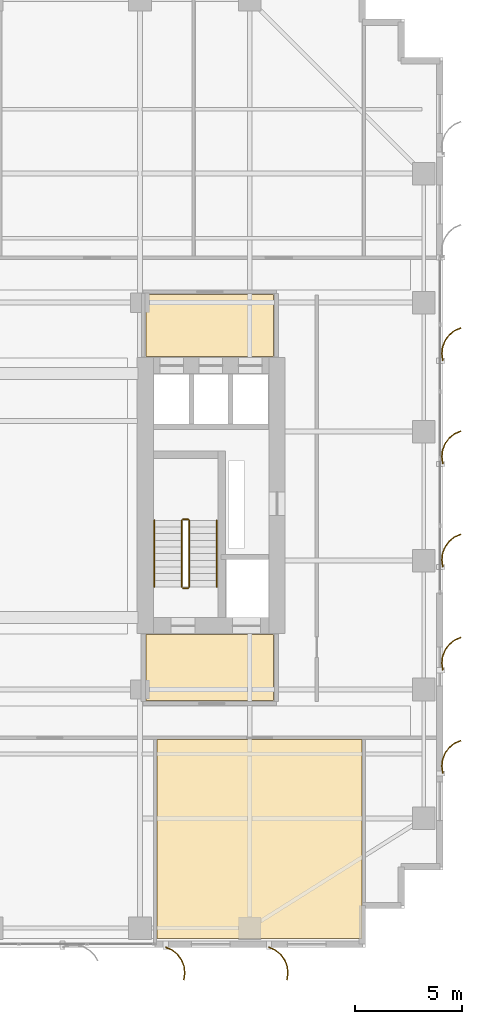
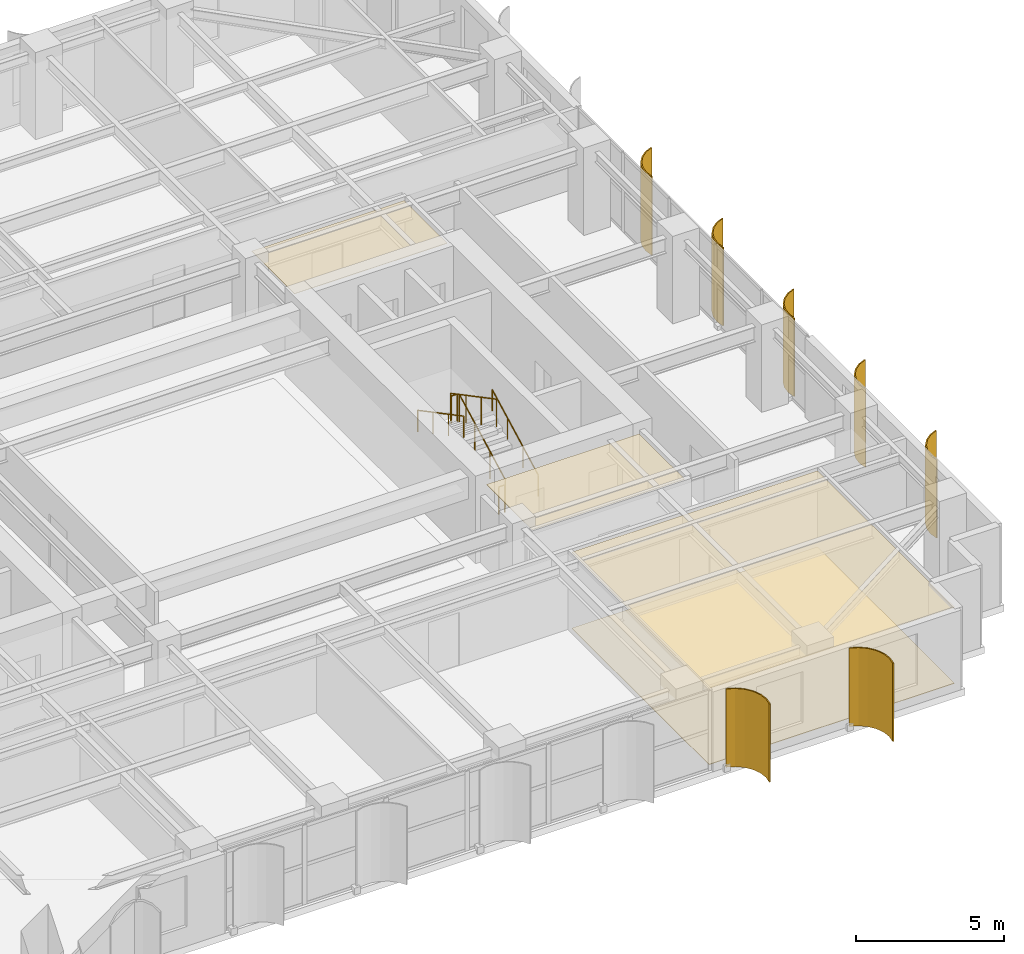
# One storey, part 27 of 28: 7 shading devices, 6 railings, 4 coverings.
"""IFC4 building model written with IfcOpenShell, lengths in metres."""

from ifc_helpers import new_model, si_unit, direction, frame, origin, origin_2d, place, context, subcontext, project, spatial, polyline, circle, outline, extrude, source, transform, mapped, material, layer, layer_set, type_object, element, save


model = new_model("IFC4")

# Units and contexts
model_context = context("Model", 3, precision=1e-05, world=origin(), true_north=direction((0.0, 1.0)))
body_context = subcontext(model_context, "Body", "Model", "MODEL_VIEW")
ifc_project = project(units=[si_unit("LENGTHUNIT", "METRE"), si_unit("AREAUNIT", "SQUARE_METRE"), si_unit("VOLUMEUNIT", "CUBIC_METRE"), si_unit("PLANEANGLEUNIT", "RADIAN"), si_unit("MASSUNIT", "GRAM", prefix="KILO")], contexts=[model_context])

# Site, building, storey
site_placement = place(None, origin())
site = spatial("IfcSite", under=ifc_project, at=site_placement, CompositionType="ELEMENT")
building_placement = place(site_placement, origin())
building = spatial("IfcBuilding", under=site, at=building_placement, Name="Khoralis Quay Care Tower", CompositionType="ELEMENT")
storey_placement = place(building_placement, frame((0.0, 0.0, 144.89990234375)))
storey = spatial("IfcBuildingStorey", under=building, at=storey_placement, Name="L38", CompositionType="ELEMENT", Elevation=144.89990234375)

# Coverings
ifc_material_1 = material(Name="Mineral-fibre acoustic ceiling tile")
ifc_layer_1 = layer(ifc_material_1, 0.01806640625)
ifc_layer_set_1 = layer_set([ifc_layer_1], Name="Mineral-fibre acoustic ceiling tile")
covering_type_1 = type_object("IfcCoveringType", Name="COV-CEIL-AC18", PredefinedType="CEILING", material=ifc_layer_set_1)
covering_1_placement = place(storey_placement, frame((0.0, 0.0, 3.132080078125)))
element("IfcCovering", 1, at=covering_1_placement, inside=storey, type_object=covering_type_1, Name="Suspended Acoustic Ceiling SP-L38-FFLOB-E", PredefinedType="CEILING", context=body_context, shape_type="SweptSolid", body=[
    extrude(outline(polyline([(31.179931640625, 11.47998046875), (37.1201171875, 11.47998046875), (37.1201171875, 14.550048828125), (31.179931640625, 14.550048828125), (31.179931640625, 11.47998046875)])), origin(), (0.0, 0.0, 1.0), 0.01806640625),
])
covering_2_placement = place(storey_placement, frame((0.0, 0.0, 3.132080078125)))
element("IfcCovering", 2, at=covering_2_placement, inside=storey, type_object=covering_type_1, Name="Suspended Acoustic Ceiling SP-L38-LLOB-E", PredefinedType="CEILING", context=body_context, shape_type="SweptSolid", body=[
    extrude(outline(polyline([(31.179931640625, 27.5), (37.1201171875, 27.5), (37.1201171875, 30.389892578125), (31.179931640625, 30.389892578125), (31.179931640625, 27.5)])), origin(), (0.0, 0.0, 1.0), 0.01806640625),
])
covering_3_placement = place(storey_placement, frame((0.0, 0.0, 3.132080078125)))
element("IfcCovering", 3, at=covering_3_placement, inside=storey, type_object=covering_type_1, Name="Suspended Acoustic Ceiling SP-L38-SB-COM3", PredefinedType="CEILING", context=body_context, shape_type="SweptSolid", body=[
    extrude(outline(polyline([(31.679931640625, 0.419921875), (41.239990234375, 0.419921875), (41.239990234375, 9.669921875), (31.679931640625, 9.669921875), (31.679931640625, 0.419921875)])), origin(), (0.0, 0.0, 1.0), 0.01806640625),
])
ifc_material_2 = material(Name="Porcelain and non-slip vinyl flooring")
ifc_layer_2 = layer(ifc_material_2, 0.02001953125)
ifc_layer_set_2 = layer_set([ifc_layer_2], Name="Porcelain and non-slip vinyl flooring")
covering_type_2 = type_object("IfcCoveringType", Name="COV-FLOOR-20", PredefinedType="FLOORING", material=ifc_layer_set_2)
covering_4_placement = place(storey_placement, origin())
element("IfcCovering", 4, at=covering_4_placement, inside=storey, type_object=covering_type_2, Name="Resilient Healthcare Flooring SP-L38-SB-COM3", PredefinedType="FLOORING", context=body_context, shape_type="SweptSolid", body=[
    extrude(outline(polyline([(31.679931640625, 0.419921875), (41.239990234375, 0.419921875), (41.239990234375, 9.669921875), (31.679931640625, 9.669921875), (31.679931640625, 0.419921875)])), origin(), (0.0, 0.0, 1.0), 0.02001953125),
])

# Railings
ifc_material_3 = material(Name="Brushed stainless steel", Category="steel")
railing_type_1 = type_object("IfcRailingType", Name="RL-GUARD-1150", PredefinedType="GUARDRAIL", material=ifc_material_3)
railing_1_placement = place(storey_placement, frame((33.18994140625, 16.77001953125, 0.163818359375)))
element("IfcRailing", 5, at=railing_1_placement, inside=storey, type_object=railing_type_1, Name="L38 ST-T2 stair guard 1", PredefinedType="GUARDRAIL", context=body_context, shape_type="SweptSolid", body=[
    extrude(circle(Radius=0.02392578125, at=origin_2d()), frame((0.0, 0.0, 1.1259765625), z_axis=(0.0, 0.884376766648, 0.46677375099), x_axis=(-1.0, 0.0, 0.0)), (0.0, 0.0, 1.0), 3.50537109375),
    extrude(circle(Radius=0.02099609375, at=origin_2d()), origin(), (0.0, 0.0, 1.0), 1.101806640625),
    extrude(circle(Radius=0.02099609375, at=origin_2d()), frame((0.0, 1.033447265625, 0.54541015625)), (0.0, 0.0, 1.0), 1.101806640625),
    extrude(circle(Radius=0.02099609375, at=origin_2d()), frame((0.0, 2.066650390625, 1.0908203125)), (0.0, 0.0, 1.0), 1.101806640625),
    extrude(circle(Radius=0.02099609375, at=origin_2d()), frame((0.0, 3.10009765625, 1.63623046875)), (0.0, 0.0, 1.0), 1.101806640625),
])
railing_2_placement = place(storey_placement, frame((33.139892578125, 19.919921875, 1.800048828125)))
element("IfcRailing", 6, at=railing_2_placement, inside=storey, type_object=railing_type_1, Name="L38 ST-T2 stair guard 2", PredefinedType="GUARDRAIL", context=body_context, shape_type="SweptSolid", body=[
    extrude(circle(Radius=0.02392578125, at=origin_2d()), frame((0.0, 0.0, 1.1259765625), z_axis=(-1.0, 0.0, 0.0), x_axis=(0.0, -1.0, 0.0)), (0.0, 0.0, 1.0), 0.239990234375),
    extrude(circle(Radius=0.02099609375, at=origin_2d()), origin(), (0.0, 0.0, 1.0), 1.101806640625),
    extrude(circle(Radius=0.02099609375, at=origin_2d()), frame((-0.239990234375, 0.0, 0.0)), (0.0, 0.0, 1.0), 1.101806640625),
])
railing_3_placement = place(storey_placement, frame((32.85009765625, 19.8701171875, 1.963623046875)))
element("IfcRailing", 7, at=railing_3_placement, inside=storey, type_object=railing_type_1, Name="L38 ST-T2 stair guard 3", PredefinedType="GUARDRAIL", context=body_context, shape_type="SweptSolid", body=[
    extrude(circle(Radius=0.02392578125, at=origin_2d()), frame((0.0, 0.0, 1.1259765625), z_axis=(0.0, -0.884348015382, 0.466828220752), x_axis=(1.0, 0.0, 0.0)), (0.0, 0.0, 1.0), 3.505615234375),
    extrude(circle(Radius=0.02099609375, at=origin_2d()), origin(), (0.0, 0.0, 1.0), 1.101806640625),
    extrude(circle(Radius=0.02099609375, at=origin_2d()), frame((0.0, -1.033447265625, 0.54541015625)), (0.0, 0.0, 1.0), 1.101806640625),
    extrude(circle(Radius=0.02099609375, at=origin_2d()), frame((0.0, -2.066650390625, 1.091064453125)), (0.0, 0.0, 1.0), 1.101806640625),
    extrude(circle(Radius=0.02099609375, at=origin_2d()), frame((0.0, -3.10009765625, 1.636474609375)), (0.0, 0.0, 1.0), 1.101806640625),
])
railing_4_placement = place(storey_placement, frame((33.139892578125, 16.719970703125, 0.0)))
element("IfcRailing", 8, at=railing_4_placement, inside=storey, type_object=railing_type_1, Name="L38 ST-T2 stair guard 4", PredefinedType="GUARDRAIL", context=body_context, shape_type="SweptSolid", body=[
    extrude(circle(Radius=0.02392578125, at=origin_2d()), frame((0.0, 0.0, 1.1259765625), z_axis=(-1.0, 0.0, 0.0), x_axis=(0.0, -1.0, 0.0)), (0.0, 0.0, 1.0), 0.239990234375),
    extrude(circle(Radius=0.02099609375, at=origin_2d()), origin(), (0.0, 0.0, 1.0), 1.101806640625),
    extrude(circle(Radius=0.02099609375, at=origin_2d()), frame((-0.239990234375, 0.0, 0.0)), (0.0, 0.0, 1.0), 1.101806640625),
])
railing_type_2 = type_object("IfcRailingType", Name="RL-HAND-900", PredefinedType="HANDRAIL", material=ifc_material_3)
railing_5_placement = place(storey_placement, frame((34.469970703125, 16.77001953125, 0.163818359375)))
element("IfcRailing", 9, at=railing_5_placement, inside=storey, type_object=railing_type_2, Name="L38 ST-T2 stair handrail 1", PredefinedType="HANDRAIL", context=body_context, shape_type="SweptSolid", body=[
    extrude(circle(Radius=0.02392578125, at=origin_2d()), frame((0.0, 0.0, 0.8759765625), z_axis=(0.0, 0.884376766648, 0.46677375099), x_axis=(-1.0, 0.0, 0.0)), (0.0, 0.0, 1.0), 3.50537109375),
    extrude(circle(Radius=0.02099609375, at=origin_2d()), origin(), (0.0, 0.0, 1.0), 0.851806640625),
    extrude(circle(Radius=0.02099609375, at=origin_2d()), frame((0.0, 1.033447265625, 0.54541015625)), (0.0, 0.0, 1.0), 0.851806640625),
    extrude(circle(Radius=0.02099609375, at=origin_2d()), frame((0.0, 2.066650390625, 1.0908203125)), (0.0, 0.0, 1.0), 0.851806640625),
    extrude(circle(Radius=0.02099609375, at=origin_2d()), frame((0.0, 3.10009765625, 1.63623046875)), (0.0, 0.0, 1.0), 0.851806640625),
])
railing_6_placement = place(storey_placement, frame((31.570068359375, 19.8701171875, 1.963623046875)))
element("IfcRailing", 10, at=railing_6_placement, inside=storey, type_object=railing_type_2, Name="L38 ST-T2 stair handrail 2", PredefinedType="HANDRAIL", context=body_context, shape_type="SweptSolid", body=[
    extrude(circle(Radius=0.02392578125, at=origin_2d()), frame((0.0, 0.0, 0.8759765625), z_axis=(0.0, -0.884348015382, 0.466828220752), x_axis=(1.0, 0.0, 0.0)), (0.0, 0.0, 1.0), 3.505615234375),
    extrude(circle(Radius=0.02099609375, at=origin_2d()), origin(), (0.0, 0.0, 1.0), 0.851806640625),
    extrude(circle(Radius=0.02099609375, at=origin_2d()), frame((0.0, -1.033447265625, 0.54541015625)), (0.0, 0.0, 1.0), 0.851806640625),
    extrude(circle(Radius=0.02099609375, at=origin_2d()), frame((0.0, -2.066650390625, 1.091064453125)), (0.0, 0.0, 1.0), 0.851806640625),
    extrude(circle(Radius=0.02099609375, at=origin_2d()), frame((0.0, -3.10009765625, 1.636474609375)), (0.0, 0.0, 1.0), 0.851806640625),
])

# Shading devices
ifc_material_4 = material(Name="Brushed pale anodised aluminium", Category="aluminium")
ifc_layer_3 = layer(ifc_material_4, 0.044921875)
ifc_layer_set_3 = layer_set([ifc_layer_3], Name="Brushed pale anodised aluminium")
shading_device_type = type_object("IfcShadingDeviceType", Name="SHD-FIN-1250", PredefinedType="USERDEFINED", material=ifc_layer_set_3)
shared_shape_1 = source(origin(), body_context, "Body", "SweptSolid", [
    extrude(outline(polyline([(0.0, 0.0), (-0.04833984375, 0.32275390625), (-0.01123046875, 0.64697265625), (0.1083984375, 0.950439453125), (0.302490234375, 1.212890625), (0.557861328125, 1.416015625), (0.85693359375, 1.546142578125), (0.869384765625, 1.5029296875), (0.5810546875, 1.37744140625), (0.334716796875, 1.181640625), (0.147705078125, 0.9287109375), (0.032470703125, 0.635986328125), (-0.003173828125, 0.323486328125), (0.043212890625, 0.012451171875), (0.0, 0.0)])), origin(), (0.0, 0.0, 1.0), 3.219970703125),
])
for number, where, z_axis, x_axis, name in (
    (11, (44.969970703125, 8.10009765625, 0.02001953125), (0.0, 0.0, 1.0), (1.0, 0.0, 0.0), "L38 Curved Solar Fin P1E5-01"),
    (12, (44.969970703125, 12.89990234375, 0.02001953125), (0.0, 0.0, 1.0), (1.0, 0.0, 0.0), "L38 Curved Solar Fin P1E5-02"),
    (13, (44.969970703125, 17.699951171875, 0.02001953125), (0.0, 0.0, 1.0), (1.0, 0.0, 0.0), "L38 Curved Solar Fin P1E5-03"),
    (14, (44.969970703125, 22.5, 0.02001953125), (0.0, 0.0, 1.0), (1.0, 0.0, 0.0), "L38 Curved Solar Fin P1E5-04"),
    (15, (44.969970703125, 27.300048828125, 0.02001953125), (0.0, 0.0, 1.0), (1.0, 0.0, 0.0), "L38 Curved Solar Fin P1E5-05"),
):
    element("IfcShadingDevice", number, at=place(storey_placement, frame(where, z_axis=z_axis, x_axis=x_axis)), inside=storey, type_object=shading_device_type, Name=name, ObjectType="FIN", PredefinedType="USERDEFINED", context=body_context, shape_type="MappedRepresentation", body=[
        mapped(shared_shape_1, transform((0.0, 0.0, 0.0), scale=1.0)),
    ])
shared_shape_2 = source(origin(), body_context, "Body", "SweptSolid", [
    extrude(outline(polyline([(0.0, 0.0), (0.130126953125, 0.29931640625), (0.333251953125, 0.5546875), (0.595458984375, 0.748779296875), (0.899169921875, 0.868408203125), (1.223388671875, 0.9052734375), (1.546142578125, 0.85693359375), (1.53369140625, 0.813720703125), (1.22265625, 0.8603515625), (0.91015625, 0.82470703125), (0.617431640625, 0.70947265625), (0.364501953125, 0.522216796875), (0.168701171875, 0.276123046875), (0.043212890625, -0.012451171875), (0.0, 0.0)])), origin(), (0.0, 0.0, 1.0), 3.219970703125),
])
for number, where, z_axis, x_axis, name in (
    (16, (32.10009765625, 0.030029296875, 0.02001953125), (0.0, 0.0, 1.0), (0.0, -1.0, 0.0), "L38 Curved Solar Fin P1E0-06"),
    (17, (36.89990234375, 0.030029296875, 0.02001953125), (0.0, 0.0, 1.0), (0.0, -1.0, 0.0), "L38 Curved Solar Fin P1E0-07"),
):
    element("IfcShadingDevice", number, at=place(storey_placement, frame(where, z_axis=z_axis, x_axis=x_axis)), inside=storey, type_object=shading_device_type, Name=name, ObjectType="FIN", PredefinedType="USERDEFINED", context=body_context, shape_type="MappedRepresentation", body=[
        mapped(shared_shape_2, transform((0.0, 0.0, 0.0), scale=1.0)),
    ])

save(model, "model.ifc")
